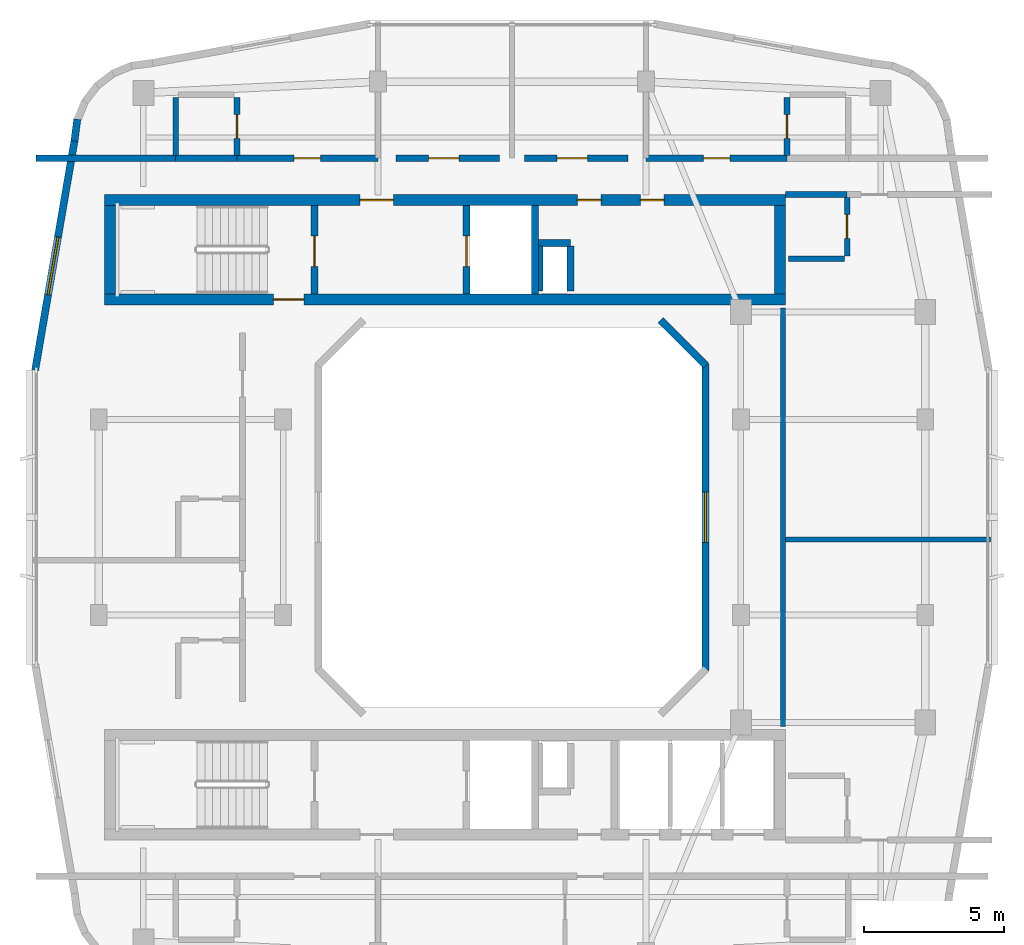
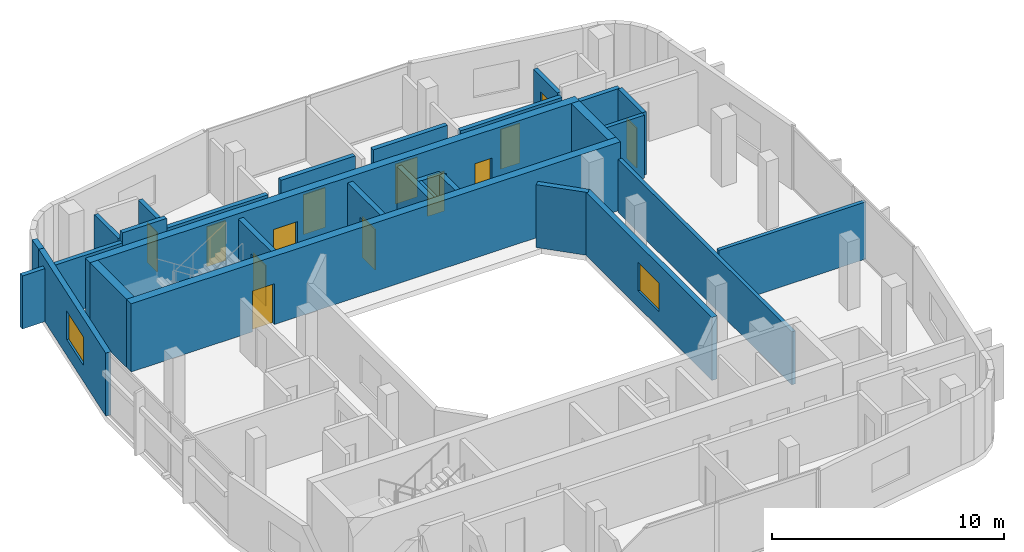
# One storey, part 5 of 8: 28 walls, 13 doors, 2 windows, 15 openings.
"""IFC4 building model written with IfcOpenShell, lengths in metres."""

from ifc_helpers import new_model, si_unit, derived_unit, direction, frame, frame_2d, origin, place, context, subcontext, project, spatial, rectangle, extrude, material, layer, layer_set, type_object, element, fill, save


model = new_model("IFC4")

# Units and contexts
model_context = context("Model", 3, precision=1e-05, world=origin(), true_north=direction((0.0, 1.0)))
body_context = subcontext(model_context, "Body", "Model", "MODEL_VIEW")
ifc_project = project(units=[si_unit("LENGTHUNIT", "METRE"), si_unit("AREAUNIT", "SQUARE_METRE"), si_unit("VOLUMEUNIT", "CUBIC_METRE"), si_unit("PLANEANGLEUNIT", "RADIAN"), si_unit("MASSUNIT", "GRAM", prefix="KILO"), derived_unit("THERMALTRANSMITTANCEUNIT", [(si_unit("POWERUNIT", "WATT"), 1), (si_unit("LENGTHUNIT", "METRE"), -2), (si_unit("THERMODYNAMICTEMPERATUREUNIT", "KELVIN"), -1)])], contexts=[model_context])

# Site, building, storey
site_placement = place(None, origin())
site = spatial("IfcSite", under=ifc_project, at=site_placement, CompositionType="ELEMENT")
building_placement = place(site_placement, origin())
building = spatial("IfcBuilding", under=site, at=building_placement, Name="Kivonza Crest Hotel", CompositionType="ELEMENT")
storey_placement = place(building_placement, frame((0.0, 0.0, 261.199951171875)))
storey = spatial("IfcBuildingStorey", under=building, at=storey_placement, Name="L71", CompositionType="ELEMENT", Elevation=261.199951171875)

# Walls
ifc_material_1 = material(Name="High-density acoustic masonry inter-tenancy wall", Category="masonry")
ifc_layer_1 = layer(ifc_material_1, 0.179931640625)
ifc_layer_set_1 = layer_set([ifc_layer_1], Name="High-density acoustic masonry inter-tenancy wall")
wall_type_1 = type_object("IfcWallType", Name="WL-ACOU-180", PredefinedType="SOLIDWALL", material=ifc_layer_set_1)
wall_1_placement = place(storey_placement, frame((30.800048828125, 24.199951171875, 0.0), z_axis=(0.0, 0.0, 1.0), x_axis=(1.0, 0.0, 0.0)))
element("IfcWall", 1, at=wall_1_placement, inside=storey, type_object=wall_type_1, Name="L71 interior partition WA-L71-T1EC-DIV", PredefinedType="SOLIDWALL", context=body_context, shape_type="SweptSolid", body=[
    extrude(rectangle(XDim=7.33984375, YDim=0.179931640625, at=frame_2d((3.669921875, 0.0))), origin(), (0.0, 0.0, 1.0), 3.01513671875),
])
wall_2_placement = place(storey_placement, frame((30.7099609375, 17.5, 0.0), z_axis=(0.0, 0.0, 1.0), x_axis=(0.0, 1.0, 0.0)))
element("IfcWall", 2, at=wall_2_placement, inside=storey, type_object=wall_type_1, Name="L71 interior partition WA-L71-T1EC-W", PredefinedType="SOLIDWALL", context=body_context, shape_type="SweptSolid", body=[
    extrude(rectangle(XDim=15.0, YDim=0.179931640625, at=frame_2d((7.5, 0.0))), origin(), (0.0, 0.0, 1.0), 2.795166015625),
])
ifc_material_2 = material(Name="Autoclaved aerated concrete blockwork", Category="masonry")
ifc_layer_2 = layer(ifc_material_2, 0.219970703125)
ifc_layer_set_2 = layer_set([ifc_layer_2], Name="Autoclaved aerated concrete blockwork")
wall_type_2 = type_object("IfcWallType", Name="WL-ACOU-220", PredefinedType="SOLIDWALL", material=ifc_layer_set_2)
wall_3_placement = place(storey_placement, frame((3.9599609375, 37.860107421875, 0.0), z_axis=(0.0, 0.0, 1.0), x_axis=(1.0, 0.0, 0.0)))
element("IfcWall", 3, at=wall_3_placement, inside=storey, type_object=wall_type_2, Name="L71 interior partition WA-L71-N01-XCORR", PredefinedType="SOLIDWALL", context=body_context, shape_type="SweptSolid", body=[
    extrude(rectangle(XDim=4.989990234375, YDim=0.219970703125, at=frame_2d((2.4951171875, 0.0))), origin(), (0.0, 0.0, 1.0), 2.795166015625),
])
wall_4_placement = place(storey_placement, frame((8.949951171875, 37.860107421875, 0.0), z_axis=(0.0, 0.0, 1.0), x_axis=(1.0, 0.0, 0.0)))
element("IfcWall", 4, at=wall_4_placement, inside=storey, type_object=wall_type_2, Name="L71 interior partition WA-L71-N01-BCORR", PredefinedType="SOLIDWALL", context=body_context, shape_type="SweptSolid", body=[
    extrude(rectangle(XDim=2.199951171875, YDim=0.219970703125, at=frame_2d((1.10009765625, 0.0))), origin(), (0.0, 0.0, 1.0), 3.320068359375),
])

# Wall, opening, door
wall_5_placement = place(storey_placement, frame((11.14990234375, 37.860107421875, 0.0), z_axis=(0.0, 0.0, 1.0), x_axis=(1.0, 0.0, 0.0)))
wall_5 = element("IfcWall", 5, at=wall_5_placement, inside=storey, type_object=wall_type_2, Name="L71 interior partition WA-L71-N01-MCORR", PredefinedType="SOLIDWALL", context=body_context, shape_type="SweptSolid", body=[
    extrude(rectangle(XDim=5.050048828125, YDim=0.219970703125, at=frame_2d((2.52490234375, 0.0))), origin(), (0.0, 0.0, 1.0), 2.795166015625),
])
opening_1_placement = place(wall_5_placement, frame((2.050048828125, 0.0, 0.0)))
opening_1 = element("IfcOpeningElement", 6, at=opening_1_placement, cuts=wall_5, Name="Opening DU-60", PredefinedType="OPENING", context=body_context, shape_type="SweptSolid", body=[
    extrude(rectangle(XDim=0.949951171875, YDim=2.10009765625, at=frame_2d((0.47509765625, 1.050048828125))), frame((0.0, 0.1201171875, 0.0), z_axis=(0.0, -1.0, 0.0), x_axis=(1.0, 0.0, 0.0)), (0.0, 0.0, 1.0), 0.239990234375),
])
ifc_material_3 = material(Name="Hardwood timber oak", Category="wood")
door_type_1 = type_object("IfcDoorType", Name="DR-UNIT-950", OperationType="NOTDEFINED", PredefinedType="DOOR", material=ifc_material_3)
door_1_placement = place(opening_1_placement, origin())
door_1 = element("IfcDoor", 7, at=door_1_placement, inside=storey, type_object=door_type_1, Name="L71 N01 guest unit entrance fire door", OperationType="SINGLE_SWING_LEFT", OverallHeight=2.10009765625, OverallWidth=0.949951171875, PredefinedType="DOOR", context=body_context, shape_type="SweptSolid", body=[
    extrude(rectangle(XDim=0.949951171875, YDim=2.10009765625, at=frame_2d((0.47509765625, 1.050048828125))), frame((0.0, 0.02490234375, 0.0), z_axis=(0.0, -1.0, 0.0), x_axis=(1.0, 0.0, 0.0)), (0.0, 0.0, 1.0), 0.050048828125),
])
fill(opening_1, door_1)

wall_6_placement = place(storey_placement, frame((16.85009765625, 37.860107421875, 0.0), z_axis=(0.0, 0.0, 1.0), x_axis=(1.0, 0.0, 0.0)))
wall_6 = element("IfcWall", 8, at=wall_6_placement, inside=storey, type_object=wall_type_2, Name="L71 interior partition WA-L71-Z4-OFF1-S", PredefinedType="SOLIDWALL", context=body_context, shape_type="SweptSolid", body=[
    extrude(rectangle(XDim=3.699951171875, YDim=0.219970703125, at=frame_2d((1.85009765625, 0.0))), origin(), (0.0, 0.0, 1.0), 3.320068359375),
])
opening_2_placement = place(wall_6_placement, frame((1.159912109375, 0.0, 0.0)))
opening_2 = element("IfcOpeningElement", 9, at=opening_2_placement, cuts=wall_6, Name="Opening DF-60M", PredefinedType="OPENING", context=body_context, shape_type="SweptSolid", body=[
    extrude(rectangle(XDim=1.10009765625, YDim=2.10009765625, at=frame_2d((0.550048828125, 1.050048828125))), frame((0.0, 0.1201171875, 0.0), z_axis=(0.0, -1.0, 0.0), x_axis=(1.0, 0.0, 0.0)), (0.0, 0.0, 1.0), 0.239990234375),
])
door_type_2 = type_object("IfcDoorType", Name="DR-FD60-1100", OperationType="NOTDEFINED", PredefinedType="DOOR", material=ifc_material_3)
door_2_placement = place(opening_2_placement, origin())
door_2 = element("IfcDoor", 10, at=door_2_placement, inside=storey, type_object=door_type_2, Name="L71 Presidential Diplomatic Office door", OperationType="SINGLE_SWING_RIGHT", OverallHeight=2.10009765625, OverallWidth=1.10009765625, PredefinedType="DOOR", context=body_context, shape_type="SweptSolid", body=[
    extrude(rectangle(XDim=1.10009765625, YDim=2.10009765625, at=frame_2d((0.550048828125, 1.050048828125))), frame((0.0, 0.02490234375, 0.0), z_axis=(0.0, -1.0, 0.0), x_axis=(1.0, 0.0, 0.0)), (0.0, 0.0, 1.0), 0.050048828125),
])
fill(opening_2, door_2)

wall_7_placement = place(storey_placement, frame((21.449951171875, 37.860107421875, 0.0), z_axis=(0.0, 0.0, 1.0), x_axis=(1.0, 0.0, 0.0)))
wall_7 = element("IfcWall", 11, at=wall_7_placement, inside=storey, type_object=wall_type_2, Name="L71 interior partition WA-L71-Z4-OFF2-S", PredefinedType="SOLIDWALL", context=body_context, shape_type="SweptSolid", body=[
    extrude(rectangle(XDim=3.699951171875, YDim=0.219970703125, at=frame_2d((1.85009765625, 0.0))), origin(), (0.0, 0.0, 1.0), 3.320068359375),
])
opening_3_placement = place(wall_7_placement, frame((1.159912109375, 0.0, 0.0)))
opening_3 = element("IfcOpeningElement", 12, at=opening_3_placement, cuts=wall_7, Name="Opening DF-60M", PredefinedType="OPENING", context=body_context, shape_type="SweptSolid", body=[
    extrude(rectangle(XDim=1.10009765625, YDim=2.10009765625, at=frame_2d((0.550048828125, 1.050048828125))), frame((0.0, 0.1201171875, 0.0), z_axis=(0.0, -1.0, 0.0), x_axis=(1.0, 0.0, 0.0)), (0.0, 0.0, 1.0), 0.239990234375),
])
door_3_placement = place(opening_3_placement, origin())
door_3 = element("IfcDoor", 13, at=door_3_placement, inside=storey, type_object=door_type_2, Name="L71 Presidential Delegation Office door", OperationType="SINGLE_SWING_LEFT", OverallHeight=2.10009765625, OverallWidth=1.10009765625, PredefinedType="DOOR", context=body_context, shape_type="SweptSolid", body=[
    extrude(rectangle(XDim=1.10009765625, YDim=2.10009765625, at=frame_2d((0.550048828125, 1.050048828125))), frame((0.0, 0.02490234375, 0.0), z_axis=(0.0, -1.0, 0.0), x_axis=(1.0, 0.0, 0.0)), (0.0, 0.0, 1.0), 0.050048828125),
])
fill(opening_3, door_3)

wall_8_placement = place(storey_placement, frame((25.800048828125, 37.860107421875, 0.0), z_axis=(0.0, 0.0, 1.0), x_axis=(1.0, 0.0, 0.0)))
wall_8 = element("IfcWall", 14, at=wall_8_placement, inside=storey, type_object=wall_type_2, Name="L71 interior partition WA-L71-N02-MCORR", PredefinedType="SOLIDWALL", context=body_context, shape_type="SweptSolid", body=[
    extrude(rectangle(XDim=5.050048828125, YDim=0.219970703125, at=frame_2d((2.52490234375, 0.0))), origin(), (0.0, 0.0, 1.0), 2.795166015625),
])
opening_4_placement = place(wall_8_placement, frame((2.050048828125, 0.0, 0.0)))
opening_4 = element("IfcOpeningElement", 15, at=opening_4_placement, cuts=wall_8, Name="Opening DU-60", PredefinedType="OPENING", context=body_context, shape_type="SweptSolid", body=[
    extrude(rectangle(XDim=0.949951171875, YDim=2.10009765625, at=frame_2d((0.47509765625, 1.050048828125))), frame((0.0, 0.1201171875, 0.0), z_axis=(0.0, -1.0, 0.0), x_axis=(1.0, 0.0, 0.0)), (0.0, 0.0, 1.0), 0.239990234375),
])
door_4_placement = place(opening_4_placement, origin())
door_4 = element("IfcDoor", 16, at=door_4_placement, inside=storey, type_object=door_type_1, Name="L71 N02 guest unit entrance fire door", OperationType="SINGLE_SWING_RIGHT", OverallHeight=2.10009765625, OverallWidth=0.949951171875, PredefinedType="DOOR", context=body_context, shape_type="SweptSolid", body=[
    extrude(rectangle(XDim=0.949951171875, YDim=2.10009765625, at=frame_2d((0.47509765625, 1.050048828125))), frame((0.0, 0.02490234375, 0.0), z_axis=(0.0, -1.0, 0.0), x_axis=(1.0, 0.0, 0.0)), (0.0, 0.0, 1.0), 0.050048828125),
])
fill(opening_4, door_4)

# Wall
wall_9_placement = place(storey_placement, frame((30.800048828125, 36.56005859375, 0.0), z_axis=(0.0, 0.0, 1.0), x_axis=(1.0, 0.0, 0.0)))
element("IfcWall", 17, at=wall_9_placement, inside=storey, type_object=wall_type_2, Name="L71 interior partition WA-L71-EN08-BCORR", PredefinedType="SOLIDWALL", context=body_context, shape_type="SweptSolid", body=[
    extrude(rectangle(XDim=2.199951171875, YDim=0.219970703125, at=frame_2d((1.10009765625, 0.0))), origin(), (0.0, 0.0, 1.0), 3.320068359375),
])

# Wall, opening, door
ifc_material_4 = material(Name="Concrete C50/60", Category="concrete")
ifc_layer_3 = layer(ifc_material_4, 0.39990234375)
ifc_layer_set_3 = layer_set([ifc_layer_3], Name="Concrete C50/60")
wall_type_3 = type_object("IfcWallType", Name="WL-CORE-400", PredefinedType="SHEAR", material=ifc_layer_set_3)
wall_10_placement = place(storey_placement, frame((6.39990234375, 32.800048828125, 0.0), z_axis=(0.0, 0.0, 1.0), x_axis=(1.0, 0.0, 0.0)))
wall_10 = element("IfcWall", 18, at=wall_10_placement, inside=storey, type_object=wall_type_3, Name="Core wall T1-N South L71", PredefinedType="SHEAR", context=body_context, shape_type="SweptSolid", body=[
    extrude(rectangle(XDim=24.400146484375, YDim=0.39990234375, at=frame_2d((12.2001953125, 0.0))), origin(), (0.0, 0.0, 1.0), 3.60009765625),
])
opening_5_placement = place(wall_10_placement, frame((6.050048828125, 0.0, 0.0)))
opening_5 = element("IfcOpeningElement", 19, at=opening_5_placement, cuts=wall_10, Name="Opening DF-120", PredefinedType="OPENING", context=body_context, shape_type="SweptSolid", body=[
    extrude(rectangle(XDim=1.10009765625, YDim=2.14990234375, at=frame_2d((0.550048828125, 1.074951171875))), frame((0.0, 0.2099609375, 0.0), z_axis=(0.0, -1.0, 0.0), x_axis=(1.0, 0.0, 0.0)), (0.0, 0.0, 1.0), 0.419921875),
])
ifc_material_5 = material(Name="Galvanised steel", Category="steel")
door_type_3 = type_object("IfcDoorType", Name="DR-FD120-1100", OperationType="NOTDEFINED", PredefinedType="DOOR", material=ifc_material_5)
door_5_placement = place(opening_5_placement, origin())
door_5 = element("IfcDoor", 20, at=door_5_placement, inside=storey, type_object=door_type_3, Name="L71 West corridor stair access fire door", OperationType="SINGLE_SWING_LEFT", OverallHeight=2.14990234375, OverallWidth=1.10009765625, PredefinedType="DOOR", context=body_context, shape_type="SweptSolid", body=[
    extrude(rectangle(XDim=1.10009765625, YDim=2.14990234375, at=frame_2d((0.550048828125, 1.074951171875))), frame((0.0, 0.02490234375, 0.0), z_axis=(0.0, -1.0, 0.0), x_axis=(1.0, 0.0, 0.0)), (0.0, 0.0, 1.0), 0.050048828125),
])
fill(opening_5, door_5)

# Wall, openings, doors
wall_11_placement = place(storey_placement, frame((6.39990234375, 36.360107421875, 0.0), z_axis=(0.0, 0.0, 1.0), x_axis=(1.0, 0.0, 0.0)))
wall_11 = element("IfcWall", 21, at=wall_11_placement, inside=storey, type_object=wall_type_3, Name="Core wall T1-N North L71", PredefinedType="SHEAR", context=body_context, shape_type="SweptSolid", body=[
    extrude(rectangle(XDim=24.400146484375, YDim=0.39990234375, at=frame_2d((12.2001953125, 0.0))), origin(), (0.0, 0.0, 1.0), 3.60009765625),
])
opening_6_placement = place(wall_11_placement, frame((9.14990234375, 0.0, 0.0)))
opening_6 = element("IfcOpeningElement", 22, at=opening_6_placement, cuts=wall_11, Name="Opening DF-60", PredefinedType="OPENING", context=body_context, shape_type="SweptSolid", body=[
    extrude(rectangle(XDim=1.199951171875, YDim=2.14990234375, at=frame_2d((0.60009765625, 1.074951171875))), frame((0.0, 0.2099609375, 0.0), z_axis=(0.0, -1.0, 0.0), x_axis=(1.0, 0.0, 0.0)), (0.0, 0.0, 1.0), 0.419921875),
])
opening_7_placement = place(wall_11_placement, frame((19.199951171875, 0.0, 0.0)))
opening_7 = element("IfcOpeningElement", 23, at=opening_7_placement, cuts=wall_11, Name="Opening DF-60R", PredefinedType="OPENING", context=body_context, shape_type="SweptSolid", body=[
    extrude(rectangle(XDim=0.85009765625, YDim=2.10009765625, at=frame_2d((0.425048828125, 1.050048828125))), frame((0.0, 0.2099609375, 0.0), z_axis=(0.0, -1.0, 0.0), x_axis=(1.0, 0.0, 0.0)), (0.0, 0.0, 1.0), 0.419921875),
])
opening_8_placement = place(wall_11_placement, frame((16.93994140625, 0.0, 0.0)))
opening_8 = element("IfcOpeningElement", 24, at=opening_8_placement, cuts=wall_11, Name="Opening DF-60R", PredefinedType="OPENING", context=body_context, shape_type="SweptSolid", body=[
    extrude(rectangle(XDim=0.85009765625, YDim=2.10009765625, at=frame_2d((0.425048828125, 1.050048828125))), frame((0.0, 0.2099609375, 0.0), z_axis=(0.0, -1.0, 0.0), x_axis=(1.0, 0.0, 0.0)), (0.0, 0.0, 1.0), 0.419921875),
])
door_type_4 = type_object("IfcDoorType", Name="DR-FD60-1200", OperationType="NOTDEFINED", PredefinedType="DOOR", material=ifc_material_3)
door_6_placement = place(opening_6_placement, origin())
door_6 = element("IfcDoor", 25, at=door_6_placement, inside=storey, type_object=door_type_4, Name="L71 T1-N firefighting lobby fire door", OperationType="SINGLE_SWING_RIGHT", OverallHeight=2.14990234375, OverallWidth=1.199951171875, PredefinedType="DOOR", context=body_context, shape_type="SweptSolid", body=[
    extrude(rectangle(XDim=1.199951171875, YDim=2.14990234375, at=frame_2d((0.60009765625, 1.074951171875))), frame((0.0, 0.02490234375, 0.0), z_axis=(0.0, -1.0, 0.0), x_axis=(1.0, 0.0, 0.0)), (0.0, 0.0, 1.0), 0.050048828125),
])
fill(opening_6, door_6)
door_type_5 = type_object("IfcDoorType", Name="DR-FD60-850", OperationType="NOTDEFINED", PredefinedType="DOOR", material=ifc_material_3)
door_7_placement = place(opening_7_placement, origin())
door_7 = element("IfcDoor", 26, at=door_7_placement, inside=storey, type_object=door_type_5, Name="L71 T1-N reclaimed core service door", OperationType="SINGLE_SWING_LEFT", OverallHeight=2.10009765625, OverallWidth=0.85009765625, PredefinedType="DOOR", context=body_context, shape_type="SweptSolid", body=[
    extrude(rectangle(XDim=0.85009765625, YDim=2.10009765625, at=frame_2d((0.425048828125, 1.050048828125))), frame((0.0, 0.02490234375, 0.0), z_axis=(0.0, -1.0, 0.0), x_axis=(1.0, 0.0, 0.0)), (0.0, 0.0, 1.0), 0.050048828125),
])
fill(opening_7, door_7)
door_8_placement = place(opening_8_placement, origin())
door_8 = element("IfcDoor", 27, at=door_8_placement, inside=storey, type_object=door_type_5, Name="L71 T1-N core room door", OperationType="SINGLE_SWING_RIGHT", OverallHeight=2.10009765625, OverallWidth=0.85009765625, PredefinedType="DOOR", context=body_context, shape_type="SweptSolid", body=[
    extrude(rectangle(XDim=0.85009765625, YDim=2.10009765625, at=frame_2d((0.425048828125, 1.050048828125))), frame((0.0, 0.02490234375, 0.0), z_axis=(0.0, -1.0, 0.0), x_axis=(1.0, 0.0, 0.0)), (0.0, 0.0, 1.0), 0.050048828125),
])
fill(opening_8, door_8)

# Walls
for number, where, z_axis, x_axis, name in (
    (28, (6.60009765625, 33.0, 0.0), (0.0, 0.0, 1.0), (0.0, 1.0, 0.0), "Core wall T1-N West L71"),
    (29, (30.60009765625, 33.0, 0.0), (0.0, 0.0, 1.0), (0.0, 1.0, 0.0), "Core wall T1-N East L71"),
):
    element("IfcWall", number, at=place(storey_placement, frame(where, z_axis=z_axis, x_axis=x_axis)), inside=storey, type_object=wall_type_3, Name=name, PredefinedType="SHEAR", context=body_context, shape_type="SweptSolid", body=[
        extrude(rectangle(XDim=3.159912109375, YDim=0.39990234375, at=frame_2d((1.580078125, 0.0))), origin(), (0.0, 0.0, 1.0), 3.60009765625),
    ])
ifc_material_6 = material(Name="Precast concrete C40/50", Category="concrete")
ifc_layer_4 = layer(ifc_material_6, 0.260009765625)
ifc_layer_set_4 = layer_set([ifc_layer_4], Name="Precast concrete C40/50")
wall_type_4 = type_object("IfcWallType", Name="WL-EXT-260", PredefinedType="STANDARD", material=ifc_layer_set_4)
wall_12_placement = place(storey_placement, frame((5.430908203125, 39.259033203125, 0.0), z_axis=(0.0, 0.0, 1.0), x_axis=(-0.130302751316, -0.991474252313, 0.0)))
element("IfcWall", 30, at=wall_12_placement, inside=storey, type_object=wall_type_4, Name="L71 T1 exterior insulated wall 33", PredefinedType="STANDARD", context=body_context, shape_type="SweptSolid", body=[
    extrude(rectangle(XDim=0.790771484375, YDim=0.260009765625, at=frame_2d((0.3955078125, 0.0))), origin(), (0.0, 0.0, 1.0), 3.320068359375),
])

# Wall, opening, window
wall_13_placement = place(storey_placement, frame((5.3291015625, 38.486083984375, 0.0), z_axis=(0.0, 0.0, 1.0), x_axis=(-0.169038545376, -0.985609440994, 0.0)))
wall_13 = element("IfcWall", 31, at=wall_13_placement, inside=storey, type_object=wall_type_4, Name="L71 T1 exterior insulated wall 34", PredefinedType="STANDARD", context=body_context, shape_type="SweptSolid", body=[
    extrude(rectangle(XDim=8.34228515625, YDim=0.260009765625, at=frame_2d((4.171142578125, 0.0))), origin(), (0.0, 0.0, 1.0), 3.320068359375),
])
opening_9_placement = place(wall_13_placement, frame((3.49609375, 0.0, 0.85009765625)))
opening_9 = element("IfcOpeningElement", 32, at=opening_9_placement, cuts=wall_13, Name="Opening WN-04", PredefinedType="OPENING", context=body_context, shape_type="SweptSolid", body=[
    extrude(rectangle(XDim=2.10009765625, YDim=1.5, at=frame_2d((1.050048828125, 0.75))), frame((0.0, 0.14013671875, 0.0), z_axis=(0.0, -1.0, 0.0), x_axis=(1.0, 0.0, 0.0)), (0.0, 0.0, 1.0), 0.280029296875),
])
ifc_material_7 = material(Name="Thermally broken bronze aluminium and low-E double glazing", Category="aluminium")
window_type_1 = type_object("IfcWindowType", Name="WN-210x150", PartitioningType="DOUBLE_PANEL_VERTICAL", PredefinedType="WINDOW", material=ifc_material_7)
window_1_placement = place(opening_9_placement, origin())
window_1 = element("IfcWindow", 33, at=window_1_placement, inside=storey, type_object=window_type_1, Name="L71 T1 facade window 34", OverallHeight=1.5, OverallWidth=2.10009765625, PartitioningType="SINGLE_PANEL", PredefinedType="WINDOW", context=body_context, shape_type="SweptSolid", body=[
    extrude(rectangle(XDim=2.10009765625, YDim=1.5, at=frame_2d((1.050048828125, 0.75))), frame((0.0, 0.030029296875, 0.0), z_axis=(0.0, -1.0, 0.0), x_axis=(1.0, 0.0, 0.0)), (0.0, 0.0, 1.0), 0.06005859375),
])
fill(opening_9, window_1)

wall_14_placement = place(storey_placement, frame((27.929931640625, 19.510009765625, 0.0), z_axis=(0.0, 0.0, 1.0), x_axis=(0.0, 1.0, 0.0)))
wall_14 = element("IfcWall", 34, at=wall_14_placement, inside=storey, type_object=wall_type_4, Name="L71 T1 light-well exterior wall 3", PredefinedType="STANDARD", context=body_context, shape_type="SweptSolid", body=[
    extrude(rectangle(XDim=10.97998046875, YDim=0.260009765625, at=frame_2d((5.489990234375, 0.0))), origin(), (0.0, 0.0, 1.0), 3.320068359375),
])
opening_10_placement = place(wall_14_placement, frame((4.590087890625, 0.0, 0.85009765625)))
opening_10 = element("IfcOpeningElement", 35, at=opening_10_placement, cuts=wall_14, Name="Opening WN-03", PredefinedType="OPENING", context=body_context, shape_type="SweptSolid", body=[
    extrude(rectangle(XDim=1.800048828125, YDim=1.5, at=frame_2d((0.89990234375, 0.75))), frame((0.0, 0.14013671875, 0.0), z_axis=(0.0, -1.0, 0.0), x_axis=(1.0, 0.0, 0.0)), (0.0, 0.0, 1.0), 0.280029296875),
])
window_type_2 = type_object("IfcWindowType", Name="WN-180x150", PartitioningType="DOUBLE_PANEL_VERTICAL", PredefinedType="WINDOW", material=ifc_material_7)
window_2_placement = place(opening_10_placement, origin())
window_2 = element("IfcWindow", 36, at=window_2_placement, inside=storey, type_object=window_type_2, Name="L71 T1 light-well window 3", OverallHeight=1.5, OverallWidth=1.800048828125, PartitioningType="SINGLE_PANEL", PredefinedType="WINDOW", context=body_context, shape_type="SweptSolid", body=[
    extrude(rectangle(XDim=1.800048828125, YDim=1.5, at=frame_2d((0.89990234375, 0.75))), frame((0.0, 0.030029296875, 0.0), z_axis=(0.0, -1.0, 0.0), x_axis=(1.0, 0.0, 0.0)), (0.0, 0.0, 1.0), 0.06005859375),
])
fill(opening_10, window_2)

# Walls
wall_15_placement = place(storey_placement, frame((27.9560546875, 30.427978515625, 0.0), z_axis=(0.0, 0.0, 1.0), x_axis=(-0.707106781187, 0.707106781187, 0.0)))
element("IfcWall", 37, at=wall_15_placement, inside=storey, type_object=wall_type_4, Name="L71 T1 light-well exterior wall 4", PredefinedType="STANDARD", context=body_context, shape_type="SweptSolid", body=[
    extrude(rectangle(XDim=2.310791015625, YDim=0.260009765625, at=frame_2d((1.1552734375, 0.0))), origin(), (0.0, 0.0, 1.0), 3.320068359375),
])
ifc_material_8 = material(Name="Concrete blockwork fire-compartment wall", Category="masonry")
ifc_layer_5 = layer(ifc_material_8, 0.25)
ifc_layer_set_5 = layer_set([ifc_layer_5], Name="Concrete blockwork fire-compartment wall")
wall_type_5 = type_object("IfcWallType", Name="WL-FIRE-250", PredefinedType="SOLIDWALL", material=ifc_layer_set_5)
wall_16_placement = place(storey_placement, frame((23.10009765625, 33.10009765625, 0.0), z_axis=(0.0, 0.0, 1.0), x_axis=(0.0, 1.0, 0.0)))
element("IfcWall", 38, at=wall_16_placement, inside=storey, type_object=wall_type_5, Name="L71 interior partition WA-L71-T1-N-MEPR-E", PredefinedType="SOLIDWALL", context=body_context, shape_type="SweptSolid", body=[
    extrude(rectangle(XDim=1.619873046875, YDim=0.25, at=frame_2d((0.81005859375, 0.0))), origin(), (0.0, 0.0, 1.0), 3.320068359375),
])
wall_17_placement = place(storey_placement, frame((21.949951171875, 34.820068359375, 0.0), z_axis=(0.0, 0.0, 1.0), x_axis=(1.0, 0.0, 0.0)))
element("IfcWall", 39, at=wall_17_placement, inside=storey, type_object=wall_type_5, Name="L71 interior partition WA-L71-T1-N-MEPR-H", PredefinedType="SOLIDWALL", context=body_context, shape_type="SweptSolid", body=[
    extrude(rectangle(XDim=1.150146484375, YDim=0.25, at=frame_2d((0.5751953125, 0.0))), origin(), (0.0, 0.0, 1.0), 3.320068359375),
])
ifc_material_9 = material(Name="Twin-stud acoustic gypsum board partition", Category="gypsum")
ifc_layer_6 = layer(ifc_material_9, 0.14990234375)
ifc_layer_set_6 = layer_set([ifc_layer_6], Name="Twin-stud acoustic gypsum board partition")
wall_type_6 = type_object("IfcWallType", Name="WL-PART-150", PredefinedType="PARTITIONING", material=ifc_layer_set_6)
wall_18_placement = place(storey_placement, frame((22.030029296875, 33.10009765625, 0.0), z_axis=(0.0, 0.0, 1.0), x_axis=(0.0, 1.0, 0.0)))
element("IfcWall", 40, at=wall_18_placement, inside=storey, type_object=wall_type_6, Name="L71 interior partition WA-L71-T1-N-MEPR-W", PredefinedType="PARTITIONING", context=body_context, shape_type="SweptSolid", body=[
    extrude(rectangle(XDim=1.619873046875, YDim=0.14990234375, at=frame_2d((0.81005859375, 0.0))), origin(), (0.0, 0.0, 1.0), 3.320068359375),
])

# Wall, opening, door
ifc_material_10 = material(Name="Moisture-resistant plumbing chase partition wall", Category="gypsum")
ifc_layer_7 = layer(ifc_material_10, 0.199951171875)
ifc_layer_set_7 = layer_set([ifc_layer_7], Name="Moisture-resistant plumbing chase partition wall")
wall_type_7 = type_object("IfcWallType", Name="WL-PLUMB-200", PredefinedType="PLUMBINGWALL", material=ifc_layer_set_7)
wall_19_placement = place(storey_placement, frame((11.14990234375, 37.9599609375, 0.0), z_axis=(0.0, 0.0, 1.0), x_axis=(0.0, 1.0, 0.0)))
wall_19 = element("IfcWall", 41, at=wall_19_placement, inside=storey, type_object=wall_type_7, Name="L71 interior partition WW-L71-N01-BV", PredefinedType="PLUMBINGWALL", context=body_context, shape_type="SweptSolid", body=[
    extrude(rectangle(XDim=2.072021484375, YDim=0.199951171875, at=frame_2d((1.0361328125, 0.0))), origin(), (0.0, 0.0, 1.0), 2.93505859375),
])
opening_11_placement = place(wall_19_placement, frame((0.611083984375, 0.0, 0.0)))
opening_11 = element("IfcOpeningElement", 42, at=opening_11_placement, cuts=wall_19, Name="Opening DI-85", PredefinedType="OPENING", context=body_context, shape_type="SweptSolid", body=[
    extrude(rectangle(XDim=0.85009765625, YDim=2.10009765625, at=frame_2d((0.425048828125, 1.050048828125))), frame((0.0, 0.10986328125, 0.0), z_axis=(0.0, -1.0, 0.0), x_axis=(1.0, 0.0, 0.0)), (0.0, 0.0, 1.0), 0.219970703125),
])
door_type_6 = type_object("IfcDoorType", Name="DR-INT-850", OperationType="NOTDEFINED", PredefinedType="DOOR", material=ifc_material_3)
door_9_placement = place(opening_11_placement, frame((0.85009765625, 0.0, 0.0), z_axis=(0.0, 0.0, 1.0), x_axis=(-1.0, 0.0, 0.0)))
door_9 = element("IfcDoor", 43, at=door_9_placement, inside=storey, type_object=door_type_6, Name="L71 N01 en-suite bathroom door", OperationType="SINGLE_SWING_RIGHT", OverallHeight=2.10009765625, OverallWidth=0.85009765625, PredefinedType="DOOR", context=body_context, shape_type="SweptSolid", body=[
    extrude(rectangle(XDim=0.85009765625, YDim=2.10009765625, at=frame_2d((0.425048828125, 1.050048828125))), frame((0.0, 0.02490234375, 0.0), z_axis=(0.0, -1.0, 0.0), x_axis=(1.0, 0.0, 0.0)), (0.0, 0.0, 1.0), 0.050048828125),
])
fill(opening_11, door_9)

# Wall
wall_20_placement = place(storey_placement, frame((8.949951171875, 37.9599609375, 0.0), z_axis=(0.0, 0.0, 1.0), x_axis=(0.0, 1.0, 0.0)))
element("IfcWall", 44, at=wall_20_placement, inside=storey, type_object=wall_type_7, Name="L71 interior partition WW-L71-N01-BVW", PredefinedType="PLUMBINGWALL", context=body_context, shape_type="SweptSolid", body=[
    extrude(rectangle(XDim=2.072021484375, YDim=0.199951171875, at=frame_2d((1.0361328125, 0.0))), origin(), (0.0, 0.0, 1.0), 2.93505859375),
])

# Wall, opening, door
wall_21_placement = place(storey_placement, frame((30.85009765625, 37.9599609375, 0.0), z_axis=(0.0, 0.0, 1.0), x_axis=(0.0, 1.0, 0.0)))
wall_21 = element("IfcWall", 45, at=wall_21_placement, inside=storey, type_object=wall_type_7, Name="L71 interior partition WW-L71-N02-BV", PredefinedType="PLUMBINGWALL", context=body_context, shape_type="SweptSolid", body=[
    extrude(rectangle(XDim=2.072021484375, YDim=0.199951171875, at=frame_2d((1.0361328125, 0.0))), origin(), (0.0, 0.0, 1.0), 2.93505859375),
])
opening_12_placement = place(wall_21_placement, frame((0.611083984375, 0.0, 0.0)))
opening_12 = element("IfcOpeningElement", 46, at=opening_12_placement, cuts=wall_21, Name="Opening DI-85", PredefinedType="OPENING", context=body_context, shape_type="SweptSolid", body=[
    extrude(rectangle(XDim=0.85009765625, YDim=2.10009765625, at=frame_2d((0.425048828125, 1.050048828125))), frame((0.0, 0.10986328125, 0.0), z_axis=(0.0, -1.0, 0.0), x_axis=(1.0, 0.0, 0.0)), (0.0, 0.0, 1.0), 0.219970703125),
])
door_10_placement = place(opening_12_placement, origin())
door_10 = element("IfcDoor", 47, at=door_10_placement, inside=storey, type_object=door_type_6, Name="L71 N02 en-suite bathroom door", OperationType="SINGLE_SWING_LEFT", OverallHeight=2.10009765625, OverallWidth=0.85009765625, PredefinedType="DOOR", context=body_context, shape_type="SweptSolid", body=[
    extrude(rectangle(XDim=0.85009765625, YDim=2.10009765625, at=frame_2d((0.425048828125, 1.050048828125))), frame((0.0, 0.02490234375, 0.0), z_axis=(0.0, -1.0, 0.0), x_axis=(1.0, 0.0, 0.0)), (0.0, 0.0, 1.0), 0.050048828125),
])
fill(opening_12, door_10)

wall_22_placement = place(storey_placement, frame((33.0, 34.360107421875, 0.0), z_axis=(0.0, 0.0, 1.0), x_axis=(0.0, 1.0, 0.0)))
wall_22 = element("IfcWall", 48, at=wall_22_placement, inside=storey, type_object=wall_type_7, Name="L71 interior partition WW-L71-EN08-BV", PredefinedType="PLUMBINGWALL", context=body_context, shape_type="SweptSolid", body=[
    extrude(rectangle(XDim=2.099853515625, YDim=0.199951171875, at=frame_2d((1.0498046875, 0.0))), origin(), (0.0, 0.0, 1.0), 3.320068359375),
])
opening_13_placement = place(wall_22_placement, frame((0.625, 0.0, 0.0)))
opening_13 = element("IfcOpeningElement", 49, at=opening_13_placement, cuts=wall_22, Name="Opening DI-85", PredefinedType="OPENING", context=body_context, shape_type="SweptSolid", body=[
    extrude(rectangle(XDim=0.85009765625, YDim=2.10009765625, at=frame_2d((0.425048828125, 1.050048828125))), frame((0.0, 0.10986328125, 0.0), z_axis=(0.0, -1.0, 0.0), x_axis=(1.0, 0.0, 0.0)), (0.0, 0.0, 1.0), 0.219970703125),
])
door_11_placement = place(opening_13_placement, frame((0.85009765625, 0.0, 0.0), z_axis=(0.0, 0.0, 1.0), x_axis=(-1.0, 0.0, 0.0)))
door_11 = element("IfcDoor", 50, at=door_11_placement, inside=storey, type_object=door_type_6, Name="L71 EN08 en-suite bathroom door", OperationType="SINGLE_SWING_RIGHT", OverallHeight=2.10009765625, OverallWidth=0.85009765625, PredefinedType="DOOR", context=body_context, shape_type="SweptSolid", body=[
    extrude(rectangle(XDim=0.85009765625, YDim=2.10009765625, at=frame_2d((0.425048828125, 1.050048828125))), frame((0.0, 0.02490234375, 0.0), z_axis=(0.0, -1.0, 0.0), x_axis=(1.0, 0.0, 0.0)), (0.0, 0.0, 1.0), 0.050048828125),
])
fill(opening_13, door_11)

# Wall
wall_23_placement = place(storey_placement, frame((30.89990234375, 34.260009765625, 0.0), z_axis=(0.0, 0.0, 1.0), x_axis=(1.0, 0.0, 0.0)))
element("IfcWall", 51, at=wall_23_placement, inside=storey, type_object=wall_type_7, Name="L71 interior partition WW-L71-EN08-BH", PredefinedType="PLUMBINGWALL", context=body_context, shape_type="SweptSolid", body=[
    extrude(rectangle(XDim=2.0, YDim=0.199951171875, at=frame_2d((1.0, 0.0))), origin(), (0.0, 0.0, 1.0), 3.320068359375),
])

# Wall, opening, door
ifc_layer_8 = layer(ifc_material_4, 0.25)
ifc_layer_set_8 = layer_set([ifc_layer_8], Name="Concrete C50/60")
wall_type_8 = type_object("IfcWallType", Name="WL-SHAFT-250", PredefinedType="STANDARD", material=ifc_layer_set_8)
wall_24_placement = place(storey_placement, frame((13.925048828125, 33.0, 0.0), z_axis=(0.0, 0.0, 1.0), x_axis=(0.0, 1.0, 0.0)))
wall_24 = element("IfcWall", 52, at=wall_24_placement, inside=storey, type_object=wall_type_8, Name="Core shaft wall T1-N STAIR L71", PredefinedType="STANDARD", context=body_context, shape_type="SweptSolid", body=[
    extrude(rectangle(XDim=3.159912109375, YDim=0.25, at=frame_2d((1.580078125, 0.0))), origin(), (0.0, 0.0, 1.0), 3.320068359375),
])
opening_14_placement = place(wall_24_placement, frame((0.97998046875, 0.0, 0.0)))
opening_14 = element("IfcOpeningElement", 53, at=opening_14_placement, cuts=wall_24, Name="Opening DF-120", PredefinedType="OPENING", context=body_context, shape_type="SweptSolid", body=[
    extrude(rectangle(XDim=1.10009765625, YDim=2.14990234375, at=frame_2d((0.550048828125, 1.074951171875))), frame((0.0, 0.135009765625, 0.0), z_axis=(0.0, -1.0, 0.0), x_axis=(1.0, 0.0, 0.0)), (0.0, 0.0, 1.0), 0.27001953125),
])
door_12_placement = place(opening_14_placement, frame((1.10009765625, 0.0, 0.0), z_axis=(0.0, 0.0, 1.0), x_axis=(-1.0, 0.0, 0.0)))
door_12 = element("IfcDoor", 54, at=door_12_placement, inside=storey, type_object=door_type_3, Name="L71 T1-N stair fire door", OperationType="SINGLE_SWING_LEFT", OverallHeight=2.14990234375, OverallWidth=1.10009765625, PredefinedType="DOOR", context=body_context, shape_type="SweptSolid", body=[
    extrude(rectangle(XDim=1.10009765625, YDim=2.14990234375, at=frame_2d((0.550048828125, 1.074951171875))), frame((0.0, 0.02490234375, 0.0), z_axis=(0.0, -1.0, 0.0), x_axis=(1.0, 0.0, 0.0)), (0.0, 0.0, 1.0), 0.050048828125),
])
fill(opening_14, door_12)

wall_25_placement = place(storey_placement, frame((19.375, 33.0, 0.0), z_axis=(0.0, 0.0, 1.0), x_axis=(0.0, 1.0, 0.0)))
wall_25 = element("IfcWall", 55, at=wall_25_placement, inside=storey, type_object=wall_type_8, Name="Core shaft wall T1-N FFL-W L71", PredefinedType="STANDARD", context=body_context, shape_type="SweptSolid", body=[
    extrude(rectangle(XDim=3.159912109375, YDim=0.25, at=frame_2d((1.580078125, 0.0))), origin(), (0.0, 0.0, 1.0), 3.320068359375),
])
opening_15_placement = place(wall_25_placement, frame((0.97998046875, 0.0, 0.0)))
opening_15 = element("IfcOpeningElement", 56, at=opening_15_placement, cuts=wall_25, Name="Opening LD-120", PredefinedType="OPENING", context=body_context, shape_type="SweptSolid", body=[
    extrude(rectangle(XDim=1.10009765625, YDim=2.14990234375, at=frame_2d((0.550048828125, 1.074951171875))), frame((0.0, 0.135009765625, 0.0), z_axis=(0.0, -1.0, 0.0), x_axis=(1.0, 0.0, 0.0)), (0.0, 0.0, 1.0), 0.27001953125),
])
ifc_material_11 = material(Name="Stainless steel", Category="steel")
door_type_7 = type_object("IfcDoorType", Name="DR-LD120-1100", OperationType="NOTDEFINED", PredefinedType="DOOR", material=ifc_material_11)
door_13_placement = place(opening_15_placement, origin())
door_13 = element("IfcDoor", 57, at=door_13_placement, inside=storey, type_object=door_type_7, Name="L71 FFL-T1-N firefighting lift sliding landing door", OperationType="DOUBLE_DOOR_SLIDING", OverallHeight=2.14990234375, OverallWidth=1.10009765625, PredefinedType="DOOR", context=body_context, shape_type="SweptSolid", body=[
    extrude(rectangle(XDim=1.10009765625, YDim=2.14990234375, at=frame_2d((0.550048828125, 1.074951171875))), frame((0.0, 0.02490234375, 0.0), z_axis=(0.0, -1.0, 0.0), x_axis=(1.0, 0.0, 0.0)), (0.0, 0.0, 1.0), 0.050048828125),
])
fill(opening_15, door_13)

# Wall
wall_26_placement = place(storey_placement, frame((21.824951171875, 33.0, 0.0), z_axis=(0.0, 0.0, 1.0), x_axis=(0.0, 1.0, 0.0)))
element("IfcWall", 58, at=wall_26_placement, inside=storey, type_object=wall_type_8, Name="Core shaft wall T1-N FFL-E L71", PredefinedType="STANDARD", context=body_context, shape_type="SweptSolid", body=[
    extrude(rectangle(XDim=3.159912109375, YDim=0.25, at=frame_2d((1.580078125, 0.0))), origin(), (0.0, 0.0, 1.0), 3.320068359375),
])

save(model, "model.ifc")
